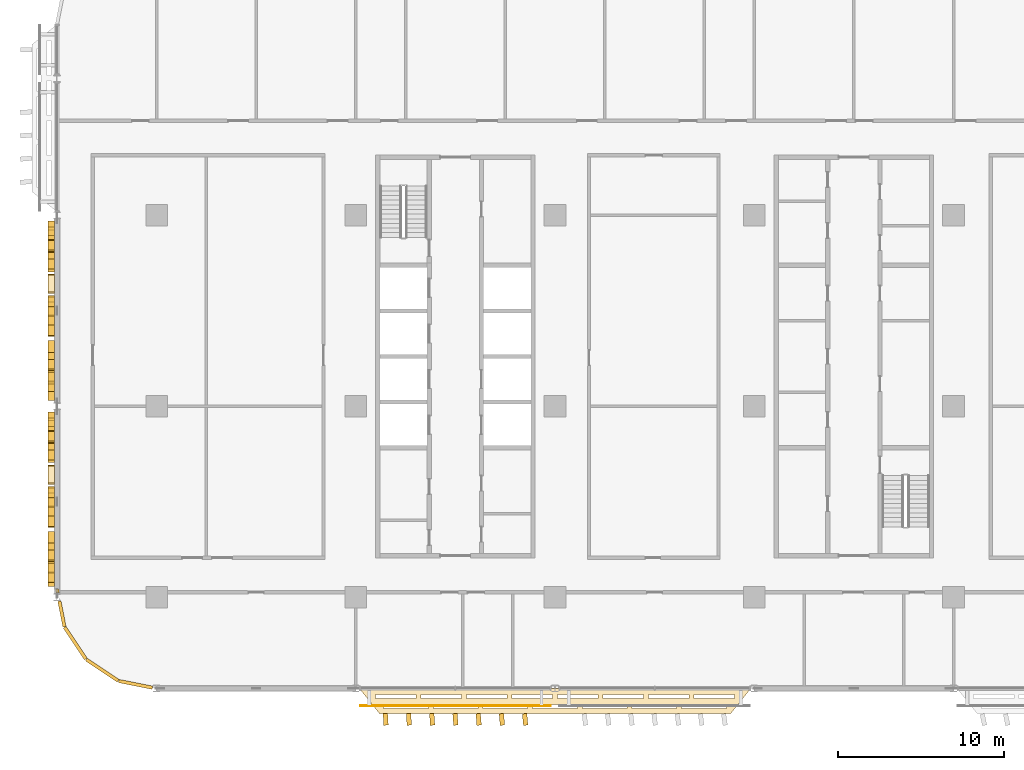
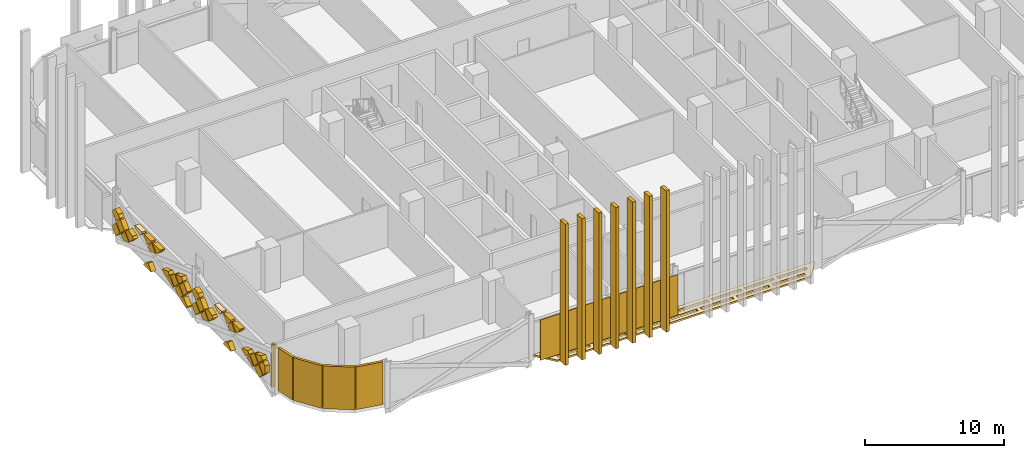
# One storey, part 24 of 33: 47 coverings.
"""IFC4 building model written with IfcOpenShell, lengths in metres."""

from ifc_helpers import new_model, si_unit, direction, frame, origin, origin_2d, place, context, subcontext, project, spatial, polyline, rectangle, outline, extrude, material, layer, layer_set, type_object, element, save


model = new_model("IFC4")

# Units and contexts
model_context = context("Model", 3, precision=1e-05, world=origin(), true_north=direction((0.0, 1.0)))
body_context = subcontext(model_context, "Body", "Model", "MODEL_VIEW")
ifc_project = project(units=[si_unit("LENGTHUNIT", "METRE"), si_unit("AREAUNIT", "SQUARE_METRE"), si_unit("VOLUMEUNIT", "CUBIC_METRE"), si_unit("PLANEANGLEUNIT", "RADIAN"), si_unit("MASSUNIT", "GRAM", prefix="KILO")], contexts=[model_context])

# Site, building, storey
site_placement = place(None, origin())
site = spatial("IfcSite", under=ifc_project, at=site_placement, CompositionType="ELEMENT")
building_placement = place(site_placement, origin())
building = spatial("IfcBuilding", under=site, at=building_placement, Name="Mahtab Terrace Research Tower", CompositionType="ELEMENT")
storey_placement = place(building_placement, frame((0.0, 0.0, 122.0)))
storey = spatial("IfcBuildingStorey", under=building, at=storey_placement, Name="L28", CompositionType="ELEMENT", Elevation=122.0)

# Coverings
ifc_material_1 = material(Name="Black aluminium cladding panel", Category="aluminium")
ifc_layer_1 = layer(ifc_material_1, 0.199951171875)
ifc_layer_set_1 = layer_set([ifc_layer_1], Name="Black metal corner cladding 200")
covering_type_1 = type_object("IfcCoveringType", Name="Black metal corner cladding 200", PredefinedType="CLADDING", material=ifc_layer_set_1)
covering_1_placement = place(storey_placement, frame((-47.97607421875, -11.11962890625, 0.0), z_axis=(0.0, 0.0, 1.0), x_axis=(0.195212442692, -0.980760981187, 0.0)))
element("IfcCovering", 1, at=covering_1_placement, inside=storey, type_object=covering_type_1, Name="Corner cladding L28 19", PredefinedType="CLADDING", context=body_context, shape_type="SweptSolid", body=[
    extrude(rectangle(XDim=0.22412109375, YDim=0.199951171875, at=origin_2d()), origin(), (0.0, 0.0, 1.0), 3.760009765625),
])
covering_2_placement = place(storey_placement, frame((-47.700439453125, -12.50439453125, 0.0), z_axis=(0.0, 0.0, 1.0), x_axis=(0.195212442692, -0.980760981187, 0.0)))
element("IfcCovering", 2, at=covering_2_placement, inside=storey, type_object=covering_type_1, Name="Corner cladding L28 20", PredefinedType="CLADDING", context=body_context, shape_type="SweptSolid", body=[
    extrude(rectangle(XDim=1.574462890625, YDim=0.199951171875, at=origin_2d()), origin(), (0.0, 0.0, 1.0), 3.760009765625),
])
for number, where, z_axis, x_axis, name in (
    (3, (-46.89306640625, -14.26953125, 0.0), (0.0, 0.0, 1.0), (0.555291490808, -0.831655794326, 0.0), "Corner cladding L28 21"),
    (4, (-45.26953125, -15.89306640625, 0.0), (0.0, 0.0, 1.0), (0.831655794326, -0.555291490808, 0.0), "Corner cladding L28 22"),
):
    element("IfcCovering", number, at=place(storey_placement, frame(where, z_axis=z_axis, x_axis=x_axis)), inside=storey, type_object=covering_type_1, Name=name, PredefinedType="CLADDING", context=body_context, shape_type="SweptSolid", body=[
        extrude(rectangle(XDim=2.30126953125, YDim=0.199951171875, at=origin_2d()), origin(), (0.0, 0.0, 1.0), 3.760009765625),
    ])
covering_3_placement = place(storey_placement, frame((-43.263916015625, -16.74853515625, 0.0), z_axis=(0.0, 0.0, 1.0), x_axis=(0.980760981187, -0.195212442692, 0.0)))
element("IfcCovering", 5, at=covering_3_placement, inside=storey, type_object=covering_type_1, Name="Corner cladding L28 23", PredefinedType="CLADDING", context=body_context, shape_type="SweptSolid", body=[
    extrude(rectangle(XDim=2.064697265625, YDim=0.199951171875, at=origin_2d()), origin(), (0.0, 0.0, 1.0), 3.760009765625),
])
ifc_material_2 = material(Name="Black anodised aluminium", Category="aluminium")
ifc_layer_2 = layer(ifc_material_2, 0.14990234375)
ifc_layer_set_2 = layer_set([ifc_layer_2], Name="Horizontal sunshade band")
covering_type_2 = type_object("IfcCoveringType", Name="Horizontal sunshade band", PredefinedType="CLADDING", material=ifc_layer_set_2)
covering_4_placement = place(storey_placement, frame((0.0, 0.0, -0.14990234375)))
element("IfcCovering", 6, at=covering_4_placement, inside=storey, type_object=covering_type_2, Name="Sunshade band L28 25", PredefinedType="CLADDING", context=body_context, shape_type="SweptSolid", body=[
    extrude(outline(polyline([(-29.781982421875, -17.0), (-6.218017578125, -17.0), (-7.41796875, -18.5), (-28.58203125, -18.5), (-29.781982421875, -17.0)]), holes=[polyline([(-28.802001953125, -17.35009765625), (-26.364013671875, -17.35009765625), (-26.364013671875, -17.60009765625), (-28.802001953125, -17.60009765625), (-28.802001953125, -17.35009765625)]), polyline([(-26.06396484375, -17.35009765625), (-23.6259765625, -17.35009765625), (-23.6259765625, -17.60009765625), (-26.06396484375, -17.60009765625), (-26.06396484375, -17.35009765625)]), polyline([(-23.325927734375, -17.35009765625), (-20.887939453125, -17.35009765625), (-20.887939453125, -17.60009765625), (-23.325927734375, -17.60009765625), (-23.325927734375, -17.35009765625)]), polyline([(-20.587890625, -17.35009765625), (-18.14990234375, -17.35009765625), (-18.14990234375, -17.60009765625), (-20.587890625, -17.60009765625), (-20.587890625, -17.35009765625)]), polyline([(-17.85009765625, -17.35009765625), (-15.412109375, -17.35009765625), (-15.412109375, -17.60009765625), (-17.85009765625, -17.60009765625), (-17.85009765625, -17.35009765625)]), polyline([(-15.112060546875, -17.35009765625), (-12.674072265625, -17.35009765625), (-12.674072265625, -17.60009765625), (-15.112060546875, -17.60009765625), (-15.112060546875, -17.35009765625)]), polyline([(-12.3740234375, -17.35009765625), (-9.93603515625, -17.35009765625), (-9.93603515625, -17.60009765625), (-12.3740234375, -17.60009765625), (-12.3740234375, -17.35009765625)]), polyline([(-9.635986328125, -17.35009765625), (-7.197998046875, -17.35009765625), (-7.197998046875, -17.60009765625), (-9.635986328125, -17.60009765625), (-9.635986328125, -17.35009765625)]), polyline([(-28.322021484375, -17.949951171875), (-25.6298828125, -17.949951171875), (-25.6298828125, -18.199951171875), (-28.322021484375, -18.199951171875), (-28.322021484375, -17.949951171875)]), polyline([(-25.330078125, -17.949951171875), (-22.637939453125, -17.949951171875), (-22.637939453125, -18.199951171875), (-25.330078125, -18.199951171875), (-25.330078125, -17.949951171875)]), polyline([(-22.337890625, -17.949951171875), (-19.64599609375, -17.949951171875), (-19.64599609375, -18.199951171875), (-22.337890625, -18.199951171875), (-22.337890625, -17.949951171875)]), polyline([(-19.345947265625, -17.949951171875), (-16.654052734375, -17.949951171875), (-16.654052734375, -18.199951171875), (-19.345947265625, -18.199951171875), (-19.345947265625, -17.949951171875)]), polyline([(-16.35400390625, -17.949951171875), (-13.662109375, -17.949951171875), (-13.662109375, -18.199951171875), (-16.35400390625, -18.199951171875), (-16.35400390625, -17.949951171875)]), polyline([(-13.362060546875, -17.949951171875), (-10.669921875, -17.949951171875), (-10.669921875, -18.199951171875), (-13.362060546875, -18.199951171875), (-13.362060546875, -17.949951171875)]), polyline([(-10.3701171875, -17.949951171875), (-7.677978515625, -17.949951171875), (-7.677978515625, -18.199951171875), (-10.3701171875, -18.199951171875), (-10.3701171875, -17.949951171875)])]), origin(), (0.0, 0.0, 1.0), 0.14990234375),
])
ifc_material_3 = material(Name="Bronze anodised aluminium", Category="aluminium")
ifc_layer_3 = layer(ifc_material_3, 0.39990234375)
ifc_layer_set_3 = layer_set([ifc_layer_3], Name="Mashrabiya relief panel 400")
covering_type_3 = type_object("IfcCoveringType", Name="Mashrabiya relief panel 400", PredefinedType="CLADDING", material=ifc_layer_set_3)
covering_5_placement = place(storey_placement, frame((-48.14990234375, 10.632080078125, 1.429931640625), z_axis=(1.0, 0.0, 0.0), x_axis=(0.0, -0.707255598772, -0.706957932274)))
element("IfcCovering", 7, at=covering_5_placement, inside=storey, type_object=covering_type_3, Name="Mashrabiya lattice cell L28 W17.1", PredefinedType="CLADDING", context=body_context, shape_type="SweptSolid", body=[
    extrude(outline(polyline([(0.0, 0.0), (0.8201817362875763, 0.0), (0.8200090664636573, 0.8203543334390104), (0.09184101544392964, 0.8202010671685369), (-0.0001532662704735177, 0.7281680510197277), (0.0, 0.0)])), origin(), (0.0, 0.0, -1.0), 0.39990234375),
])
covering_6_placement = place(storey_placement, frame((-48.14990234375, 10.052001953125, 2.14990234375), z_axis=(1.0, 0.0, 0.0), x_axis=(0.0, 0.707255598772, -0.706957932274)))
element("IfcCovering", 8, at=covering_6_placement, inside=storey, type_object=covering_type_3, Name="Mashrabiya lattice cell L28 W17.2", PredefinedType="CLADDING", context=body_context, shape_type="SweptSolid", body=[
    extrude(outline(polyline([(0.0, 0.0), (0.8201817362875763, 0.0), (0.8203350025580498, 0.7281680510197277), (0.7283407208436468, 0.8202010671685369), (0.23633528096545225, 0.8203046254593975), (6.816679075588583e-05, 0.3238604228812255), (0.0, 0.0)])), origin(), (0.0, 0.0, -1.0), 0.39990234375),
])
covering_7_placement = place(storey_placement, frame((-48.14990234375, 9.98193359375, 2.080078125), z_axis=(1.0, 0.0, 0.0), x_axis=(0.0, -0.706957932274, -0.707255598772)))
element("IfcCovering", 9, at=covering_7_placement, inside=storey, type_object=covering_type_3, Name="Mashrabiya lattice cell L28 W17.3", PredefinedType="CLADDING", context=body_context, shape_type="SweptSolid", body=[
    extrude(outline(polyline([(0.0, 0.0), (0.8201817362875763, 0.0), (0.8205270032629295, 0.8201816636150915), (0.00017266982391900276, 0.8203543334390104), (0.0, 0.0)])), origin(), (0.0, 0.0, -1.0), 0.39990234375),
])
covering_8_placement = place(storey_placement, frame((-48.14990234375, 9.912109375, 0.85009765625), z_axis=(1.0, 0.0, 0.0), x_axis=(0.0, -0.707255598772, 0.706957932274)))
element("IfcCovering", 10, at=covering_8_placement, inside=storey, type_object=covering_type_3, Name="Mashrabiya lattice cell L28 W17.4", PredefinedType="CLADDING", context=body_context, shape_type="SweptSolid", body=[
    extrude(outline(polyline([(0.0, 0.0), (0.8201817362875763, 0.0), (0.8205270032629295, 0.8201816636150915), (0.7752970294916709, 0.8201911837106022), (9.527362759165214e-05, 0.45264500468793883), (0.0, 0.0)])), origin(), (0.0, 0.0, -1.0), 0.39990234375),
])
covering_9_placement = place(storey_placement, frame((-48.14990234375, 8.10205078125, 1.5), z_axis=(1.0, 0.0, 0.0), x_axis=(0.0, 0.706957932274, -0.707255598772)))
element("IfcCovering", 11, at=covering_9_placement, inside=storey, type_object=covering_type_3, Name="Mashrabiya lattice cell L28 W17.5", PredefinedType="CLADDING", context=body_context, shape_type="SweptSolid", body=[
    extrude(outline(polyline([(0.0, 0.0), (0.8201817362875763, 0.0), (0.8200090664636573, 0.8203543334390104), (0.28277365281420436, 0.8202412550526393), (-4.730978761416371e-05, 0.2247688009548804), (0.0, 0.0)])), origin(), (0.0, 0.0, -1.0), 0.39990234375),
])
covering_10_placement = place(storey_placement, frame((-48.14990234375, 7.9619140625, 2.800048828125), z_axis=(1.0, 0.0, 0.0), x_axis=(0.0, -0.707106781187, 0.707106781187)))
element("IfcCovering", 12, at=covering_10_placement, inside=storey, type_object=covering_type_3, Name="Mashrabiya lattice cell L28 W17.6", PredefinedType="CLADDING", context=body_context, shape_type="SweptSolid", body=[
    extrude(outline(polyline([(0.0, 0.0), (0.09598422127434582, 0.0), (0.8200090846279543, 0.7240248633536085), (0.820181718119455, 0.820181718119455), (0.2729335500624833, 0.820181718119455), (-0.00017263349150062335, 0.2460027253883863), (0.0, 0.0)])), origin(), (0.0, 0.0, -1.0), 0.39990234375),
])
covering_11_placement = place(storey_placement, frame((-48.14990234375, 6.662109375, 0.199951171875), z_axis=(1.0, 0.0, 0.0), x_axis=(0.0, -0.707106781187, 0.707106781187)))
element("IfcCovering", 13, at=covering_11_placement, inside=storey, type_object=covering_type_3, Name="Mashrabiya lattice cell L28 W17.7", PredefinedType="CLADDING", context=body_context, shape_type="SweptSolid", body=[
    extrude(outline(polyline([(0.0, 0.0), (0.5248058141618908, 0.0), (0.8203543516109556, 0.14017839509850505), (0.8203543516109556, 0.8203543516109556), (0.7285133341326248, 0.8203543516109556), (0.00017263349150062335, 0.09201365096983151), (0.0, 0.0)])), origin(), (0.0, 0.0, -1.0), 0.39990234375),
])
covering_12_placement = place(storey_placement, frame((-48.14990234375, 5.501953125, 2.800048828125), z_axis=(1.0, 0.0, 0.0), x_axis=(0.0, 0.707106781187, -0.707106781187)))
element("IfcCovering", 14, at=covering_12_placement, inside=storey, type_object=covering_type_3, Name="Mashrabiya lattice cell L28 W17.8", PredefinedType="CLADDING", context=body_context, shape_type="SweptSolid", body=[
    extrude(outline(polyline([(0.0, 0.0), (0.8203543516109556, 0.0), (0.8203543516109556, 0.8203543516109556), (0.7241974968451091, 0.820181718119455), (0.0001726334915006164, 0.09615685476584643), (0.0, 0.0)])), origin(), (0.0, 0.0, -1.0), 0.39990234375),
])
covering_13_placement = place(storey_placement, frame((-48.14990234375, 6.011962890625, 2.14990234375), z_axis=(1.0, 0.0, 0.0), x_axis=(0.0, -0.707106781187, 0.707106781187)))
element("IfcCovering", 15, at=covering_13_placement, inside=storey, type_object=covering_type_3, Name="Mashrabiya lattice cell L28 W17.9", PredefinedType="CLADDING", context=body_context, shape_type="SweptSolid", body=[
    extrude(outline(polyline([(0.0, 0.0), (0.8203543516109556, 0.0), (0.820181718119455, 0.748020918672195), (0.008459041083530489, 0.3620124316768043), (0.0, 0.0)])), origin(), (0.0, 0.0, -1.0), 0.39990234375),
])
covering_14_placement = place(storey_placement, frame((-48.14990234375, 5.362060546875, 2.800048828125), z_axis=(1.0, 0.0, 0.0), x_axis=(0.0, -0.708375131092, 0.705836152128)))
element("IfcCovering", 16, at=covering_14_placement, inside=storey, type_object=covering_type_3, Name="Mashrabiya lattice cell L28 W17.10", PredefinedType="CLADDING", context=body_context, shape_type="SweptSolid", body=[
    extrude(outline(polyline([(0.0, 0.0), (0.0961570097329491, 0.0), (0.8214805692544758, 0.7227238335017362), (0.8218258356810431, 0.818880223366774), (0.055334368701633496, 0.8202563301297532), (0.0014269359317018449, 0.7948033139579282), (0.0, 0.0)])), origin(), (0.0, 0.0, -1.0), 0.39990234375),
])
covering_15_placement = place(storey_placement, frame((-48.14990234375, 3.962890625, 1.40087890625), z_axis=(1.0, 0.0, 0.0), x_axis=(0.0, -0.941802740715, 0.336166026811)))
element("IfcCovering", 17, at=covering_15_placement, inside=storey, type_object=covering_type_3, Name="Mashrabiya lattice cell L28 W17.11", PredefinedType="CLADDING", context=body_context, shape_type="SweptSolid", body=[
    extrude(outline(polyline([(0.0, 0.0), (0.9078126785882193, 0.0), (1.0323770301003636, 0.2632493832434716), (0.4522793482502843, 0.5383520331182542), (0.13011726275268062, 0.27456360239819644), (0.0, 0.0)])), origin(), (0.0, 0.0, -1.0), 0.39990234375),
])
covering_16_placement = place(storey_placement, frame((-48.14990234375, 2.83203125, 1.429931640625), z_axis=(1.0, 0.0, 0.0), x_axis=(0.0, -0.707255598772, -0.706957932274)))
element("IfcCovering", 18, at=covering_16_placement, inside=storey, type_object=covering_type_3, Name="Mashrabiya lattice cell L28 W17.12", PredefinedType="CLADDING", context=body_context, shape_type="SweptSolid", body=[
    extrude(outline(polyline([(0.0, 0.0), (0.8201817362875763, 0.0), (0.8201382781416573, 0.20646965126116512), (-0.0001252873638200036, 0.595240265508777), (0.0, 0.0)])), origin(), (0.0, 0.0, -1.0), 0.39990234375),
])
covering_17_placement = place(storey_placement, frame((-48.14990234375, 1.60205078125, 1.5), z_axis=(1.0, 0.0, 0.0), x_axis=(0.0, 0.706957932274, -0.707255598772)))
element("IfcCovering", 19, at=covering_17_placement, inside=storey, type_object=covering_type_3, Name="Mashrabiya lattice cell L28 W17.13", PredefinedType="CLADDING", context=body_context, shape_type="SweptSolid", body=[
    extrude(outline(polyline([(0.0, 0.0), (0.8201817362875763, 0.0), (0.8200090664636573, 0.8203543334390104), (0.09736528704957947, 0.820202229928294), (-0.0003354561899031605, 0.7735706219424204), (0.0, 0.0)])), origin(), (0.0, 0.0, -1.0), 0.39990234375),
])
covering_18_placement = place(storey_placement, frame((-48.14990234375, 2.112060546875, 0.85009765625), z_axis=(1.0, 0.0, 0.0), x_axis=(0.0, -0.707255598772, 0.706957932274)))
element("IfcCovering", 20, at=covering_18_placement, inside=storey, type_object=covering_type_3, Name="Mashrabiya lattice cell L28 W17.14", PredefinedType="CLADDING", context=body_context, shape_type="SweptSolid", body=[
    extrude(outline(polyline([(0.0, 0.0), (0.8201817362875763, 0.0), (0.8205270032629295, 0.8201816636150915), (0.1317193874334573, 0.8203266452222961), (0.00011460450855232951, 0.5444860201318684), (0.0, 0.0)])), origin(), (0.0, 0.0, -1.0), 0.39990234375),
])
covering_19_placement = place(storey_placement, frame((-48.14990234375, 0.951904296875, 2.14990234375), z_axis=(1.0, 0.0, 0.0), x_axis=(0.0, 0.707255598772, -0.706957932274)))
element("IfcCovering", 21, at=covering_19_placement, inside=storey, type_object=covering_type_3, Name="Mashrabiya lattice cell L28 W17.15", PredefinedType="CLADDING", context=body_context, shape_type="SweptSolid", body=[
    extrude(outline(polyline([(0.0, 0.0), (0.8201817362875763, 0.0), (0.8203347118681106, 0.7267869831183152), (7.114636263330643e-05, 0.3380163688707034), (0.0, 0.0)])), origin(), (0.0, 0.0, -1.0), 0.39990234375),
])
covering_20_placement = place(storey_placement, frame((-48.14990234375, 0.366943359375, 0.135009765625), z_axis=(1.0, 0.0, 0.0), x_axis=(0.0, 1.0, 0.0)))
element("IfcCovering", 22, at=covering_20_placement, inside=storey, type_object=covering_type_3, Name="Mashrabiya lattice cell L28 W17.16", PredefinedType="CLADDING", context=body_context, shape_type="SweptSolid", body=[
    extrude(outline(polyline([(0.0, 0.0), (0.43408203125, 0.0), (0.968994140625, 0.19091796875), (0.51513671875, 0.64501953125), (-0.013916015625, 0.115966796875), (-0.013916015625, 0.013916015625), (0.0, 0.0)])), origin(), (0.0, 0.0, -1.0), 0.39990234375),
])
covering_21_placement = place(storey_placement, frame((-48.14990234375, 0.882080078125, 0.919921875), z_axis=(1.0, 0.0, 0.0), x_axis=(0.0, 0.706957932274, 0.707255598772)))
element("IfcCovering", 23, at=covering_21_placement, inside=storey, type_object=covering_type_3, Name="Mashrabiya lattice cell L28 W17.17", PredefinedType="CLADDING", context=body_context, shape_type="SweptSolid", body=[
    extrude(outline(polyline([(0.0, 0.0), (0.8201817362875763, 0.0), (0.8205270032629295, 0.8201816636150915), (0.07233346767272081, 0.8203391448896843), (0.0001574812745928078, 0.7481935355902086), (0.0, 0.0)])), origin(), (0.0, 0.0, -1.0), 0.39990234375),
])
covering_22_placement = place(storey_placement, frame((-48.14990234375, -0.867919921875, 1.429931640625), z_axis=(1.0, 0.0, 0.0), x_axis=(0.0, -0.707255598772, -0.706957932274)))
element("IfcCovering", 24, at=covering_22_placement, inside=storey, type_object=covering_type_3, Name="Mashrabiya lattice cell L28 W18.1", PredefinedType="CLADDING", context=body_context, shape_type="SweptSolid", body=[
    extrude(outline(polyline([(0.0, 0.0), (0.8201817362875763, 0.0), (0.8200090664636573, 0.8203543334390104), (0.09184101544392964, 0.8202010671685369), (-0.0001532662704735177, 0.7281680510197277), (0.0, 0.0)])), origin(), (0.0, 0.0, -1.0), 0.39990234375),
])
covering_23_placement = place(storey_placement, frame((-48.14990234375, -1.447998046875, 2.14990234375), z_axis=(1.0, 0.0, 0.0), x_axis=(0.0, 0.707255598772, -0.706957932274)))
element("IfcCovering", 25, at=covering_23_placement, inside=storey, type_object=covering_type_3, Name="Mashrabiya lattice cell L28 W18.2", PredefinedType="CLADDING", context=body_context, shape_type="SweptSolid", body=[
    extrude(outline(polyline([(0.0, 0.0), (0.8201817362875763, 0.0), (0.8203350025580498, 0.7281680510197277), (0.7283407208436468, 0.8202010671685369), (0.23633528096545225, 0.8203046254593975), (6.816679075588583e-05, 0.3238604228812255), (0.0, 0.0)])), origin(), (0.0, 0.0, -1.0), 0.39990234375),
])
covering_24_placement = place(storey_placement, frame((-48.14990234375, -1.51806640625, 2.080078125), z_axis=(1.0, 0.0, 0.0), x_axis=(0.0, -0.706957932274, -0.707255598772)))
element("IfcCovering", 26, at=covering_24_placement, inside=storey, type_object=covering_type_3, Name="Mashrabiya lattice cell L28 W18.3", PredefinedType="CLADDING", context=body_context, shape_type="SweptSolid", body=[
    extrude(outline(polyline([(0.0, 0.0), (0.8201817362875763, 0.0), (0.8205270032629295, 0.8201816636150915), (0.00017266982391900276, 0.8203543334390104), (0.0, 0.0)])), origin(), (0.0, 0.0, -1.0), 0.39990234375),
])
covering_25_placement = place(storey_placement, frame((-48.14990234375, -1.587890625, 0.85009765625), z_axis=(1.0, 0.0, 0.0), x_axis=(0.0, -0.707255598772, 0.706957932274)))
element("IfcCovering", 27, at=covering_25_placement, inside=storey, type_object=covering_type_3, Name="Mashrabiya lattice cell L28 W18.4", PredefinedType="CLADDING", context=body_context, shape_type="SweptSolid", body=[
    extrude(outline(polyline([(0.0, 0.0), (0.8201817362875763, 0.0), (0.8205270032629295, 0.8201816636150915), (0.7752970294916709, 0.8201911837106022), (9.527362759165214e-05, 0.45264500468793883), (0.0, 0.0)])), origin(), (0.0, 0.0, -1.0), 0.39990234375),
])
covering_26_placement = place(storey_placement, frame((-48.14990234375, -3.39794921875, 1.5), z_axis=(1.0, 0.0, 0.0), x_axis=(0.0, 0.706957932274, -0.707255598772)))
element("IfcCovering", 28, at=covering_26_placement, inside=storey, type_object=covering_type_3, Name="Mashrabiya lattice cell L28 W18.5", PredefinedType="CLADDING", context=body_context, shape_type="SweptSolid", body=[
    extrude(outline(polyline([(0.0, 0.0), (0.8201817362875763, 0.0), (0.8200090664636573, 0.8203543334390104), (0.28277365281420436, 0.8202412550526393), (-4.730978761416371e-05, 0.2247688009548804), (0.0, 0.0)])), origin(), (0.0, 0.0, -1.0), 0.39990234375),
])
covering_27_placement = place(storey_placement, frame((-48.14990234375, -3.5380859375, 2.800048828125), z_axis=(1.0, 0.0, 0.0), x_axis=(0.0, -0.707106781187, 0.707106781187)))
element("IfcCovering", 29, at=covering_27_placement, inside=storey, type_object=covering_type_3, Name="Mashrabiya lattice cell L28 W18.6", PredefinedType="CLADDING", context=body_context, shape_type="SweptSolid", body=[
    extrude(outline(polyline([(0.0, 0.0), (0.09598422127434582, 0.0), (0.8200090846279543, 0.7240248633536085), (0.820181718119455, 0.820181718119455), (0.2729335500624833, 0.820181718119455), (-0.00017263349150062335, 0.2460027253883863), (0.0, 0.0)])), origin(), (0.0, 0.0, -1.0), 0.39990234375),
])
covering_28_placement = place(storey_placement, frame((-48.14990234375, -4.837890625, 0.199951171875), z_axis=(1.0, 0.0, 0.0), x_axis=(0.0, -0.707106781187, 0.707106781187)))
element("IfcCovering", 30, at=covering_28_placement, inside=storey, type_object=covering_type_3, Name="Mashrabiya lattice cell L28 W18.7", PredefinedType="CLADDING", context=body_context, shape_type="SweptSolid", body=[
    extrude(outline(polyline([(0.0, 0.0), (0.5248058141618908, 0.0), (0.8203543516109556, 0.14017839509850505), (0.8203543516109556, 0.8203543516109556), (0.7285133341326248, 0.8203543516109556), (0.00017263349150062335, 0.09201365096983151), (0.0, 0.0)])), origin(), (0.0, 0.0, -1.0), 0.39990234375),
])
covering_29_placement = place(storey_placement, frame((-48.14990234375, -5.998046875, 2.800048828125), z_axis=(1.0, 0.0, 0.0), x_axis=(0.0, 0.707106781187, -0.707106781187)))
element("IfcCovering", 31, at=covering_29_placement, inside=storey, type_object=covering_type_3, Name="Mashrabiya lattice cell L28 W18.8", PredefinedType="CLADDING", context=body_context, shape_type="SweptSolid", body=[
    extrude(outline(polyline([(0.0, 0.0), (0.8203543516109556, 0.0), (0.8203543516109556, 0.8203543516109556), (0.7241974968451091, 0.820181718119455), (0.0001726334915006164, 0.09615685476584643), (0.0, 0.0)])), origin(), (0.0, 0.0, -1.0), 0.39990234375),
])
covering_30_placement = place(storey_placement, frame((-48.14990234375, -5.488037109375, 2.14990234375), z_axis=(1.0, 0.0, 0.0), x_axis=(0.0, -0.707106781187, 0.707106781187)))
element("IfcCovering", 32, at=covering_30_placement, inside=storey, type_object=covering_type_3, Name="Mashrabiya lattice cell L28 W18.9", PredefinedType="CLADDING", context=body_context, shape_type="SweptSolid", body=[
    extrude(outline(polyline([(0.0, 0.0), (0.8203543516109556, 0.0), (0.820181718119455, 0.748020918672195), (0.008459041083530489, 0.3620124316768043), (0.0, 0.0)])), origin(), (0.0, 0.0, -1.0), 0.39990234375),
])
covering_31_placement = place(storey_placement, frame((-48.14990234375, -6.137939453125, 2.800048828125), z_axis=(1.0, 0.0, 0.0), x_axis=(0.0, -0.708375131092, 0.705836152128)))
element("IfcCovering", 33, at=covering_31_placement, inside=storey, type_object=covering_type_3, Name="Mashrabiya lattice cell L28 W18.10", PredefinedType="CLADDING", context=body_context, shape_type="SweptSolid", body=[
    extrude(outline(polyline([(0.0, 0.0), (0.0961570097329491, 0.0), (0.8214805692544758, 0.7227238335017362), (0.8218258356810431, 0.818880223366774), (0.055334368701633496, 0.8202563301297532), (0.0014269359317018449, 0.7948033139579282), (0.0, 0.0)])), origin(), (0.0, 0.0, -1.0), 0.39990234375),
])
covering_32_placement = place(storey_placement, frame((-48.14990234375, -7.537109375, 1.40087890625), z_axis=(1.0, 0.0, 0.0), x_axis=(0.0, -0.941802740715, 0.336166026811)))
element("IfcCovering", 34, at=covering_32_placement, inside=storey, type_object=covering_type_3, Name="Mashrabiya lattice cell L28 W18.11", PredefinedType="CLADDING", context=body_context, shape_type="SweptSolid", body=[
    extrude(outline(polyline([(0.0, 0.0), (0.9078126785882193, 0.0), (1.0323770301003636, 0.2632493832434716), (0.4522793482502843, 0.5383520331182542), (0.13011726275268062, 0.27456360239819644), (0.0, 0.0)])), origin(), (0.0, 0.0, -1.0), 0.39990234375),
])
covering_33_placement = place(storey_placement, frame((-48.14990234375, -8.66796875, 1.429931640625), z_axis=(1.0, 0.0, 0.0), x_axis=(0.0, -0.707255598772, -0.706957932274)))
element("IfcCovering", 35, at=covering_33_placement, inside=storey, type_object=covering_type_3, Name="Mashrabiya lattice cell L28 W18.12", PredefinedType="CLADDING", context=body_context, shape_type="SweptSolid", body=[
    extrude(outline(polyline([(0.0, 0.0), (0.8201817362875763, 0.0), (0.8201382781416573, 0.20646965126116512), (-0.0001252873638200036, 0.595240265508777), (0.0, 0.0)])), origin(), (0.0, 0.0, -1.0), 0.39990234375),
])
covering_34_placement = place(storey_placement, frame((-48.14990234375, -9.89794921875, 1.5), z_axis=(1.0, 0.0, 0.0), x_axis=(0.0, 0.706957932274, -0.707255598772)))
element("IfcCovering", 36, at=covering_34_placement, inside=storey, type_object=covering_type_3, Name="Mashrabiya lattice cell L28 W18.13", PredefinedType="CLADDING", context=body_context, shape_type="SweptSolid", body=[
    extrude(outline(polyline([(0.0, 0.0), (0.8201817362875763, 0.0), (0.8200090664636573, 0.8203543334390104), (0.09736528704957947, 0.820202229928294), (-0.0003354561899031605, 0.7735706219424204), (0.0, 0.0)])), origin(), (0.0, 0.0, -1.0), 0.39990234375),
])
covering_35_placement = place(storey_placement, frame((-48.14990234375, -9.387939453125, 0.85009765625), z_axis=(1.0, 0.0, 0.0), x_axis=(0.0, -0.707255598772, 0.706957932274)))
element("IfcCovering", 37, at=covering_35_placement, inside=storey, type_object=covering_type_3, Name="Mashrabiya lattice cell L28 W18.14", PredefinedType="CLADDING", context=body_context, shape_type="SweptSolid", body=[
    extrude(outline(polyline([(0.0, 0.0), (0.8201817362875763, 0.0), (0.8205270032629295, 0.8201816636150915), (0.1317193874334573, 0.8203266452222961), (0.00011460450855232951, 0.5444860201318684), (0.0, 0.0)])), origin(), (0.0, 0.0, -1.0), 0.39990234375),
])
covering_36_placement = place(storey_placement, frame((-48.14990234375, -10.548095703125, 2.14990234375), z_axis=(1.0, 0.0, 0.0), x_axis=(0.0, 0.707255598772, -0.706957932274)))
element("IfcCovering", 38, at=covering_36_placement, inside=storey, type_object=covering_type_3, Name="Mashrabiya lattice cell L28 W18.15", PredefinedType="CLADDING", context=body_context, shape_type="SweptSolid", body=[
    extrude(outline(polyline([(0.0, 0.0), (0.8201817362875763, 0.0), (0.8203347118681106, 0.7267869831183152), (7.114636263330643e-05, 0.3380163688707034), (0.0, 0.0)])), origin(), (0.0, 0.0, -1.0), 0.39990234375),
])
covering_37_placement = place(storey_placement, frame((-48.14990234375, -10.617919921875, 0.919921875), z_axis=(1.0, 0.0, 0.0), x_axis=(0.0, 0.706957932274, 0.707255598772)))
element("IfcCovering", 39, at=covering_37_placement, inside=storey, type_object=covering_type_3, Name="Mashrabiya lattice cell L28 W18.16", PredefinedType="CLADDING", context=body_context, shape_type="SweptSolid", body=[
    extrude(outline(polyline([(0.0, 0.0), (0.8201817362875763, 0.0), (0.8205270032629295, 0.8201816636150915), (0.4711168242055731, 0.8202552081697236), (7.354455463215448e-05, 0.34941017905735633), (0.0, 0.0)])), origin(), (0.0, 0.0, -1.0), 0.39990234375),
])
ifc_layer_4 = layer(ifc_material_3, 0.050048828125)
ifc_layer_set_4 = layer_set([ifc_layer_4], Name="Sky lounge girih screen panel")
covering_type_4 = type_object("IfcCoveringType", Name="Sky lounge girih screen panel", PredefinedType="CLADDING", material=ifc_layer_set_4)
covering_38_placement = place(storey_placement, frame((-24.0, -18.02490234375, 0.099853515625), z_axis=(0.0, 0.0, 1.0), x_axis=(1.0, 0.0, 0.0)))
element("IfcCovering", 40, at=covering_38_placement, inside=storey, type_object=covering_type_4, Name="Girih screen L28 S26", PredefinedType="CLADDING", context=body_context, shape_type="SweptSolid", body=[
    extrude(rectangle(XDim=11.464111328125, YDim=0.050048828125, at=origin_2d()), origin(), (0.0, 0.0, 1.0), 3.56005859375),
])
ifc_layer_5 = layer(ifc_material_3, 0.1201171875)
ifc_layer_set_5 = layer_set([ifc_layer_5], Name="Vertical fin 700")
covering_type_5 = type_object("IfcCoveringType", Name="Vertical fin 700", PredefinedType="CLADDING", material=ifc_layer_set_5)
for number, where, z_axis, x_axis, name in (
    (41, (-28.199951171875, -18.857421875, -0.14990234375), (0.0, 0.0, 1.0), (0.998356138179, 0.057315105867, 0.0), "Fin L28 S1"),
    (42, (-26.800048828125, -18.858154296875, -0.14990234375), (0.0, 0.0, 1.0), (0.998005798968, 0.063122303718, 0.0), "Fin L28 S2"),
    (43, (-25.39990234375, -18.85888671875, -0.14990234375), (0.0, 0.0, 1.0), (0.997621680969, 0.068927365114, 0.0), "Fin L28 S3"),
    (44, (-24.0, -18.859375, -0.14990234375), (0.0, 0.0, 1.0), (0.997203797181, 0.074730093591, 0.0), "Fin L28 S4"),
    (45, (-22.60009765625, -18.860107421875, -0.14990234375), (0.0, 0.0, 1.0), (0.996752161751, 0.080530292716, 0.0), "Fin L28 S5"),
    (46, (-21.199951171875, -18.86083984375, -0.14990234375), (0.0, 0.0, 1.0), (0.996266789964, 0.086327766189, 0.0), "Fin L28 S6"),
    (47, (-19.800048828125, -18.861328125, -0.14990234375), (0.0, 0.0, 1.0), (0.995747698246, 0.092122317805, 0.0), "Fin L28 S7"),
):
    element("IfcCovering", number, at=place(storey_placement, frame(where, z_axis=z_axis, x_axis=x_axis)), inside=storey, type_object=covering_type_5, Name=name, PredefinedType="CLADDING", context=body_context, shape_type="SweptSolid", body=[
        extrude(rectangle(XDim=0.280029296875, YDim=0.699951171875, at=origin_2d()), origin(), (0.0, 0.0, 1.0), 12.449951171875),
    ])

save(model, "model.ifc")
